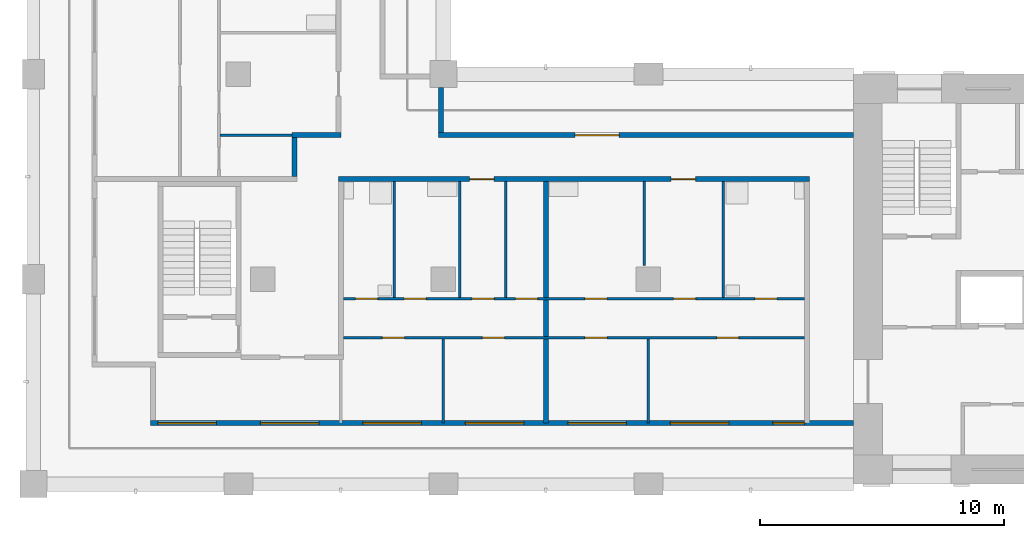
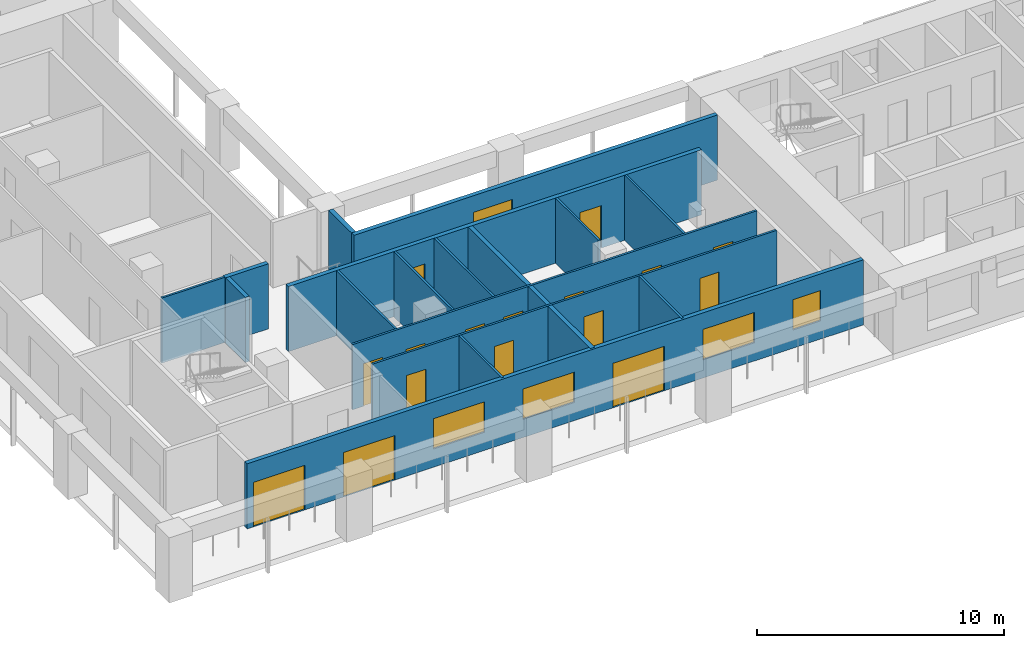
# One storey, part 2 of 11: 17 doors, 17 walls, 4 windows, 21 openings.
"""IFC4 building model written with IfcOpenShell, lengths in metres."""

from ifc_helpers import new_model, si_unit, direction, frame, frame_2d, origin, place, context, subcontext, project, spatial, rectangle, extrude, material, layer, layer_set, type_object, element, fill, save


model = new_model("IFC4")

# Units and contexts
model_context = context("Model", 3, precision=1e-05, world=origin(), true_north=direction((0.0, 1.0)))
body_context = subcontext(model_context, "Body", "Model", "MODEL_VIEW")
ifc_project = project(units=[si_unit("LENGTHUNIT", "METRE"), si_unit("AREAUNIT", "SQUARE_METRE"), si_unit("VOLUMEUNIT", "CUBIC_METRE"), si_unit("PLANEANGLEUNIT", "RADIAN"), si_unit("MASSUNIT", "GRAM", prefix="KILO")], contexts=[model_context])

# Site, building, storey
site_placement = place(None, origin())
site = spatial("IfcSite", under=ifc_project, at=site_placement, CompositionType="ELEMENT")
building_placement = place(site_placement, origin())
building = spatial("IfcBuilding", under=site, at=building_placement, Name="Vermilion Gate Residences", CompositionType="ELEMENT")
storey_placement = place(building_placement, frame((0.0, 0.0, 200.199951171875)))
storey = spatial("IfcBuildingStorey", under=building, at=storey_placement, Name="L52", CompositionType="ELEMENT", Elevation=200.199951171875)

# Wall, openings, doors, windows
ifc_material_1 = material(Name="Insulated steel stud wall with terracotta rainscreen", Category="masonry")
ifc_layer_1 = layer(ifc_material_1, 0.199951171875)
ifc_layer_set_1 = layer_set([ifc_layer_1], Name="EXTERNAL WALL 200 TERRACOTTA RAINSCREEN")
wall_type_1 = type_object("IfcWallType", Name="EXTERNAL WALL 200 TERRACOTTA RAINSCREEN", PredefinedType="SOLIDWALL", material=ifc_layer_set_1)
wall_1_placement = place(storey_placement, frame((13.199951171875, 10.89990234375, 0.0), z_axis=(0.0, 0.0, 1.0), x_axis=(1.0, 0.0, 0.0)))
wall_1 = element("IfcWall", 1, at=wall_1_placement, inside=storey, type_object=wall_type_1, Name="External wall", PredefinedType="SOLIDWALL", context=body_context, shape_type="SweptSolid", body=[
    extrude(rectangle(XDim=28.800048828125, YDim=0.199951171875, at=frame_2d((14.39990234375, 0.0))), origin(), (0.0, 0.0, 1.0), 3.219970703125),
])
opening_1_placement = place(wall_1_placement, frame((0.300048828125, 0.0, 0.0)))
opening_1 = element("IfcOpeningElement", 2, at=opening_1_placement, cuts=wall_1, Name="Opening DE52008", PredefinedType="OPENING", context=body_context, shape_type="SweptSolid", body=[
    extrude(rectangle(XDim=2.39990234375, YDim=2.199951171875, at=frame_2d((1.199951171875, 1.10009765625))), frame((0.0, 0.10986328125, 0.0), z_axis=(0.0, -1.0, 0.0), x_axis=(1.0, 0.0, 0.0)), (0.0, 0.0, 1.0), 0.219970703125),
])
opening_2_placement = place(wall_1_placement, frame((4.5, 0.0, 0.0)))
opening_2 = element("IfcOpeningElement", 3, at=opening_2_placement, cuts=wall_1, Name="Opening DE52009", PredefinedType="OPENING", context=body_context, shape_type="SweptSolid", body=[
    extrude(rectangle(XDim=2.39990234375, YDim=2.199951171875, at=frame_2d((1.199951171875, 1.10009765625))), frame((0.0, 0.10986328125, 0.0), z_axis=(0.0, -1.0, 0.0), x_axis=(1.0, 0.0, 0.0)), (0.0, 0.0, 1.0), 0.219970703125),
])
opening_3_placement = place(wall_1_placement, frame((8.699951171875, 0.0, 0.89990234375)))
opening_3 = element("IfcOpeningElement", 4, at=opening_3_placement, cuts=wall_1, Name="Opening WE52010", PredefinedType="OPENING", context=body_context, shape_type="SweptSolid", body=[
    extrude(rectangle(XDim=2.39990234375, YDim=1.5, at=frame_2d((1.199951171875, 0.75))), frame((0.0, 0.10986328125, 0.0), z_axis=(0.0, -1.0, 0.0), x_axis=(1.0, 0.0, 0.0)), (0.0, 0.0, 1.0), 0.219970703125),
])
opening_4_placement = place(wall_1_placement, frame((12.89990234375, 0.0, 0.89990234375)))
opening_4 = element("IfcOpeningElement", 5, at=opening_4_placement, cuts=wall_1, Name="Opening WE52011", PredefinedType="OPENING", context=body_context, shape_type="SweptSolid", body=[
    extrude(rectangle(XDim=2.39990234375, YDim=1.5, at=frame_2d((1.199951171875, 0.75))), frame((0.0, 0.10986328125, 0.0), z_axis=(0.0, -1.0, 0.0), x_axis=(1.0, 0.0, 0.0)), (0.0, 0.0, 1.0), 0.219970703125),
])
opening_5_placement = place(wall_1_placement, frame((17.10009765625, 0.0, 0.0)))
opening_5 = element("IfcOpeningElement", 6, at=opening_5_placement, cuts=wall_1, Name="Opening DE52012", PredefinedType="OPENING", context=body_context, shape_type="SweptSolid", body=[
    extrude(rectangle(XDim=2.39990234375, YDim=2.199951171875, at=frame_2d((1.199951171875, 1.10009765625))), frame((0.0, 0.10986328125, 0.0), z_axis=(0.0, -1.0, 0.0), x_axis=(1.0, 0.0, 0.0)), (0.0, 0.0, 1.0), 0.219970703125),
])
opening_6_placement = place(wall_1_placement, frame((21.300048828125, 0.0, 0.89990234375)))
opening_6 = element("IfcOpeningElement", 7, at=opening_6_placement, cuts=wall_1, Name="Opening WE52013", PredefinedType="OPENING", context=body_context, shape_type="SweptSolid", body=[
    extrude(rectangle(XDim=2.39990234375, YDim=1.5, at=frame_2d((1.199951171875, 0.75))), frame((0.0, 0.10986328125, 0.0), z_axis=(0.0, -1.0, 0.0), x_axis=(1.0, 0.0, 0.0)), (0.0, 0.0, 1.0), 0.219970703125),
])
opening_7_placement = place(wall_1_placement, frame((25.5, 0.0, 0.89990234375)))
opening_7 = element("IfcOpeningElement", 8, at=opening_7_placement, cuts=wall_1, Name="Opening WE52014", PredefinedType="OPENING", context=body_context, shape_type="SweptSolid", body=[
    extrude(rectangle(XDim=1.300048828125, YDim=1.5, at=frame_2d((0.64990234375, 0.75))), frame((0.0, 0.10986328125, 0.0), z_axis=(0.0, -1.0, 0.0), x_axis=(1.0, 0.0, 0.0)), (0.0, 0.0, 1.0), 0.219970703125),
])
ifc_material_2 = material(Name="Aluminium and clear glass", Category="aluminium")
door_type_1 = type_object("IfcDoorType", Name="SLIDING GLAZED DOOR 2400 X 2200", OperationType="DOUBLE_DOOR_SLIDING", PredefinedType="DOOR", material=ifc_material_2)
door_1_placement = place(opening_1_placement, origin())
door_1 = element("IfcDoor", 9, at=door_1_placement, inside=storey, type_object=door_type_1, Name="Loggia sliding door", OperationType="DOUBLE_DOOR_SLIDING", OverallHeight=2.199951171875, OverallWidth=2.39990234375, PredefinedType="DOOR", context=body_context, shape_type="SweptSolid", body=[
    extrude(rectangle(XDim=2.39990234375, YDim=2.199951171875, at=frame_2d((1.199951171875, 1.10009765625))), frame((0.0, 0.02490234375, 0.0), z_axis=(0.0, -1.0, 0.0), x_axis=(1.0, 0.0, 0.0)), (0.0, 0.0, 1.0), 0.050048828125),
])
fill(opening_1, door_1)
door_2_placement = place(opening_2_placement, origin())
door_2 = element("IfcDoor", 10, at=door_2_placement, inside=storey, type_object=door_type_1, Name="Loggia sliding door", OperationType="DOUBLE_DOOR_SLIDING", OverallHeight=2.199951171875, OverallWidth=2.39990234375, PredefinedType="DOOR", context=body_context, shape_type="SweptSolid", body=[
    extrude(rectangle(XDim=2.39990234375, YDim=2.199951171875, at=frame_2d((1.199951171875, 1.10009765625))), frame((0.0, 0.02490234375, 0.0), z_axis=(0.0, -1.0, 0.0), x_axis=(1.0, 0.0, 0.0)), (0.0, 0.0, 1.0), 0.050048828125),
])
fill(opening_2, door_2)
door_3_placement = place(opening_5_placement, origin())
door_3 = element("IfcDoor", 11, at=door_3_placement, inside=storey, type_object=door_type_1, Name="Loggia sliding door", OperationType="DOUBLE_DOOR_SLIDING", OverallHeight=2.199951171875, OverallWidth=2.39990234375, PredefinedType="DOOR", context=body_context, shape_type="SweptSolid", body=[
    extrude(rectangle(XDim=2.39990234375, YDim=2.199951171875, at=frame_2d((1.199951171875, 1.10009765625))), frame((0.0, 0.02490234375, 0.0), z_axis=(0.0, -1.0, 0.0), x_axis=(1.0, 0.0, 0.0)), (0.0, 0.0, 1.0), 0.050048828125),
])
fill(opening_5, door_3)
ifc_material_3 = material(Name="Aluminium and clear glass", Category="aluminium")
window_type_1 = type_object("IfcWindowType", Name="WINDOW 1300 X 1500", PartitioningType="SINGLE_PANEL", PredefinedType="WINDOW", material=ifc_material_3)
window_1_placement = place(opening_7_placement, origin())
window_1 = element("IfcWindow", 12, at=window_1_placement, inside=storey, type_object=window_type_1, Name="Window", OverallHeight=1.5, OverallWidth=1.300048828125, PartitioningType="SINGLE_PANEL", PredefinedType="WINDOW", context=body_context, shape_type="SweptSolid", body=[
    extrude(rectangle(XDim=1.300048828125, YDim=1.5, at=frame_2d((0.64990234375, 0.75))), frame((0.0, 0.030029296875, 0.0), z_axis=(0.0, -1.0, 0.0), x_axis=(1.0, 0.0, 0.0)), (0.0, 0.0, 1.0), 0.06005859375),
])
fill(opening_7, window_1)
ifc_material_4 = material(Name="Aluminium and clear glass", Category="aluminium")
window_type_2 = type_object("IfcWindowType", Name="WINDOW 2400 X 1500", PartitioningType="SINGLE_PANEL", PredefinedType="WINDOW", material=ifc_material_4)
window_2_placement = place(opening_3_placement, origin())
window_2 = element("IfcWindow", 13, at=window_2_placement, inside=storey, type_object=window_type_2, Name="Window", OverallHeight=1.5, OverallWidth=2.39990234375, PartitioningType="SINGLE_PANEL", PredefinedType="WINDOW", context=body_context, shape_type="SweptSolid", body=[
    extrude(rectangle(XDim=2.39990234375, YDim=1.5, at=frame_2d((1.199951171875, 0.75))), frame((0.0, 0.030029296875, 0.0), z_axis=(0.0, -1.0, 0.0), x_axis=(1.0, 0.0, 0.0)), (0.0, 0.0, 1.0), 0.06005859375),
])
fill(opening_3, window_2)
window_3_placement = place(opening_4_placement, origin())
window_3 = element("IfcWindow", 14, at=window_3_placement, inside=storey, type_object=window_type_2, Name="Window", OverallHeight=1.5, OverallWidth=2.39990234375, PartitioningType="SINGLE_PANEL", PredefinedType="WINDOW", context=body_context, shape_type="SweptSolid", body=[
    extrude(rectangle(XDim=2.39990234375, YDim=1.5, at=frame_2d((1.199951171875, 0.75))), frame((0.0, 0.030029296875, 0.0), z_axis=(0.0, -1.0, 0.0), x_axis=(1.0, 0.0, 0.0)), (0.0, 0.0, 1.0), 0.06005859375),
])
fill(opening_4, window_3)
window_4_placement = place(opening_6_placement, origin())
window_4 = element("IfcWindow", 15, at=window_4_placement, inside=storey, type_object=window_type_2, Name="Window", OverallHeight=1.5, OverallWidth=2.39990234375, PartitioningType="SINGLE_PANEL", PredefinedType="WINDOW", context=body_context, shape_type="SweptSolid", body=[
    extrude(rectangle(XDim=2.39990234375, YDim=1.5, at=frame_2d((1.199951171875, 0.75))), frame((0.0, 0.030029296875, 0.0), z_axis=(0.0, -1.0, 0.0), x_axis=(1.0, 0.0, 0.0)), (0.0, 0.0, 1.0), 0.06005859375),
])
fill(opening_6, window_4)

# Wall, opening, door
wall_2_placement = place(storey_placement, frame((42.0, 22.699951171875, 0.0), z_axis=(0.0, 0.0, 1.0), x_axis=(-1.0, 0.0, 0.0)))
wall_2 = element("IfcWall", 16, at=wall_2_placement, inside=storey, type_object=wall_type_1, Name="External wall", PredefinedType="SOLIDWALL", context=body_context, shape_type="SweptSolid", body=[
    extrude(rectangle(XDim=17.0, YDim=0.199951171875, at=frame_2d((8.5, 0.0))), origin(), (0.0, 0.0, 1.0), 3.219970703125),
])
opening_8_placement = place(wall_2_placement, frame((9.60009765625, 0.0, 0.0)))
opening_8 = element("IfcOpeningElement", 17, at=opening_8_placement, cuts=wall_2, Name="Opening DE52020", PredefinedType="OPENING", context=body_context, shape_type="SweptSolid", body=[
    extrude(rectangle(XDim=1.800048828125, YDim=2.39990234375, at=frame_2d((0.89990234375, 1.199951171875))), frame((0.0, 0.10986328125, 0.0), z_axis=(0.0, -1.0, 0.0), x_axis=(1.0, 0.0, 0.0)), (0.0, 0.0, 1.0), 0.219970703125),
])
ifc_material_5 = material(Name="Aluminium and clear glass", Category="aluminium")
door_type_2 = type_object("IfcDoorType", Name="GLAZED EXTERNAL DOOR 1800 X 2400", OperationType="DOUBLE_DOOR_SINGLE_SWING", PredefinedType="DOOR", material=ifc_material_5)
door_4_placement = place(opening_8_placement, frame((1.800048828125, 0.0, 0.0), z_axis=(0.0, 0.0, 1.0), x_axis=(-1.0, 0.0, 0.0)))
door_4 = element("IfcDoor", 18, at=door_4_placement, inside=storey, type_object=door_type_2, Name="Gallery door", OperationType="DOUBLE_DOOR_SINGLE_SWING", OverallHeight=2.39990234375, OverallWidth=1.800048828125, PredefinedType="DOOR", context=body_context, shape_type="SweptSolid", body=[
    extrude(rectangle(XDim=1.800048828125, YDim=2.39990234375, at=frame_2d((0.89990234375, 1.199951171875))), frame((0.0, 0.02490234375, 0.0), z_axis=(0.0, -1.0, 0.0), x_axis=(1.0, 0.0, 0.0)), (0.0, 0.0, 1.0), 0.050048828125),
])
fill(opening_8, door_4)

# Wall
wall_3_placement = place(storey_placement, frame((25.10009765625, 22.800048828125, 0.0), z_axis=(0.0, 0.0, 1.0), x_axis=(0.0, 1.0, 0.0)))
element("IfcWall", 19, at=wall_3_placement, inside=storey, type_object=wall_type_1, Name="External wall", PredefinedType="SOLIDWALL", context=body_context, shape_type="SweptSolid", body=[
    extrude(rectangle(XDim=1.849853515625, YDim=0.199951171875, at=frame_2d((0.9248046875, 0.0))), origin(), (0.0, 0.0, 1.0), 3.219970703125),
])

# Wall, openings, doors
ifc_material_6 = material(Name="Plasterboard on steel studs", Category="steel")
ifc_layer_2 = layer(ifc_material_6, 0.10009765625)
ifc_layer_set_2 = layer_set([ifc_layer_2], Name="PARTITION 100")
wall_type_2 = type_object("IfcWallType", Name="PARTITION 100", PredefinedType="PARTITIONING", material=ifc_layer_set_2)
wall_4_placement = place(storey_placement, frame((21.10009765625, 14.39990234375, 0.0), z_axis=(0.0, 0.0, 1.0), x_axis=(1.0, 0.0, 0.0)))
wall_4 = element("IfcWall", 20, at=wall_4_placement, inside=storey, type_object=wall_type_2, Name="Partition", PredefinedType="PARTITIONING", context=body_context, shape_type="SweptSolid", body=[
    extrude(rectangle(XDim=18.89990234375, YDim=0.10009765625, at=frame_2d((9.449951171875, 0.0))), origin(), (0.0, 0.0, 1.0), 3.219970703125),
])
opening_9_placement = place(wall_4_placement, frame((1.60009765625, 0.0, 0.0)))
opening_9 = element("IfcOpeningElement", 21, at=opening_9_placement, cuts=wall_4, Name="Opening DA52002", PredefinedType="OPENING", context=body_context, shape_type="SweptSolid", body=[
    extrude(rectangle(XDim=0.89990234375, YDim=2.10009765625, at=frame_2d((0.449951171875, 1.050048828125))), frame((0.0, 0.06005859375, 0.0), z_axis=(0.0, -1.0, 0.0), x_axis=(1.0, 0.0, 0.0)), (0.0, 0.0, 1.0), 0.1201171875),
])
opening_10_placement = place(wall_4_placement, frame((5.699951171875, 0.0, 0.0)))
opening_10 = element("IfcOpeningElement", 22, at=opening_10_placement, cuts=wall_4, Name="Opening DA52003", PredefinedType="OPENING", context=body_context, shape_type="SweptSolid", body=[
    extrude(rectangle(XDim=0.89990234375, YDim=2.10009765625, at=frame_2d((0.449951171875, 1.050048828125))), frame((0.0, 0.06005859375, 0.0), z_axis=(0.0, -1.0, 0.0), x_axis=(1.0, 0.0, 0.0)), (0.0, 0.0, 1.0), 0.1201171875),
])
opening_11_placement = place(wall_4_placement, frame((9.89990234375, 0.0, 0.0)))
opening_11 = element("IfcOpeningElement", 23, at=opening_11_placement, cuts=wall_4, Name="Opening DA52004", PredefinedType="OPENING", context=body_context, shape_type="SweptSolid", body=[
    extrude(rectangle(XDim=0.89990234375, YDim=2.10009765625, at=frame_2d((0.449951171875, 1.050048828125))), frame((0.0, 0.06005859375, 0.0), z_axis=(0.0, -1.0, 0.0), x_axis=(1.0, 0.0, 0.0)), (0.0, 0.0, 1.0), 0.1201171875),
])
opening_12_placement = place(wall_4_placement, frame((15.300048828125, 0.0, 0.0)))
opening_12 = element("IfcOpeningElement", 24, at=opening_12_placement, cuts=wall_4, Name="Opening DA52005", PredefinedType="OPENING", context=body_context, shape_type="SweptSolid", body=[
    extrude(rectangle(XDim=0.89990234375, YDim=2.10009765625, at=frame_2d((0.449951171875, 1.050048828125))), frame((0.0, 0.06005859375, 0.0), z_axis=(0.0, -1.0, 0.0), x_axis=(1.0, 0.0, 0.0)), (0.0, 0.0, 1.0), 0.1201171875),
])
ifc_material_7 = material(Name="Timber", Category="wood")
door_type_3 = type_object("IfcDoorType", Name="INTERIOR DOOR 900 X 2100", OperationType="SINGLE_SWING_LEFT", PredefinedType="DOOR", material=ifc_material_7)
door_5_placement = place(opening_9_placement, frame((0.89990234375, 0.0, 0.0), z_axis=(0.0, 0.0, 1.0), x_axis=(-1.0, 0.0, 0.0)))
door_5 = element("IfcDoor", 25, at=door_5_placement, inside=storey, type_object=door_type_3, Name="Interior door", OperationType="SINGLE_SWING_LEFT", OverallHeight=2.10009765625, OverallWidth=0.89990234375, PredefinedType="DOOR", context=body_context, shape_type="SweptSolid", body=[
    extrude(rectangle(XDim=0.89990234375, YDim=2.10009765625, at=frame_2d((0.449951171875, 1.050048828125))), frame((0.0, 0.02490234375, 0.0), z_axis=(0.0, -1.0, 0.0), x_axis=(1.0, 0.0, 0.0)), (0.0, 0.0, 1.0), 0.050048828125),
])
fill(opening_9, door_5)
door_6_placement = place(opening_10_placement, frame((0.89990234375, 0.0, 0.0), z_axis=(0.0, 0.0, 1.0), x_axis=(-1.0, 0.0, 0.0)))
door_6 = element("IfcDoor", 26, at=door_6_placement, inside=storey, type_object=door_type_3, Name="Interior door", OperationType="SINGLE_SWING_RIGHT", OverallHeight=2.10009765625, OverallWidth=0.89990234375, PredefinedType="DOOR", context=body_context, shape_type="SweptSolid", body=[
    extrude(rectangle(XDim=0.89990234375, YDim=2.10009765625, at=frame_2d((0.449951171875, 1.050048828125))), frame((0.0, 0.02490234375, 0.0), z_axis=(0.0, -1.0, 0.0), x_axis=(1.0, 0.0, 0.0)), (0.0, 0.0, 1.0), 0.050048828125),
])
fill(opening_10, door_6)
door_7_placement = place(opening_11_placement, frame((0.89990234375, 0.0, 0.0), z_axis=(0.0, 0.0, 1.0), x_axis=(-1.0, 0.0, 0.0)))
door_7 = element("IfcDoor", 27, at=door_7_placement, inside=storey, type_object=door_type_3, Name="Interior door", OperationType="SINGLE_SWING_RIGHT", OverallHeight=2.10009765625, OverallWidth=0.89990234375, PredefinedType="DOOR", context=body_context, shape_type="SweptSolid", body=[
    extrude(rectangle(XDim=0.89990234375, YDim=2.10009765625, at=frame_2d((0.449951171875, 1.050048828125))), frame((0.0, 0.02490234375, 0.0), z_axis=(0.0, -1.0, 0.0), x_axis=(1.0, 0.0, 0.0)), (0.0, 0.0, 1.0), 0.050048828125),
])
fill(opening_11, door_7)
door_8_placement = place(opening_12_placement, frame((0.89990234375, 0.0, 0.0), z_axis=(0.0, 0.0, 1.0), x_axis=(-1.0, 0.0, 0.0)))
door_8 = element("IfcDoor", 28, at=door_8_placement, inside=storey, type_object=door_type_3, Name="Interior door", OperationType="SINGLE_SWING_LEFT", OverallHeight=2.10009765625, OverallWidth=0.89990234375, PredefinedType="DOOR", context=body_context, shape_type="SweptSolid", body=[
    extrude(rectangle(XDim=0.89990234375, YDim=2.10009765625, at=frame_2d((0.449951171875, 1.050048828125))), frame((0.0, 0.02490234375, 0.0), z_axis=(0.0, -1.0, 0.0), x_axis=(1.0, 0.0, 0.0)), (0.0, 0.0, 1.0), 0.050048828125),
])
fill(opening_12, door_8)

wall_5_placement = place(storey_placement, frame((21.10009765625, 16.0, 0.0), z_axis=(0.0, 0.0, 1.0), x_axis=(1.0, 0.0, 0.0)))
wall_5 = element("IfcWall", 29, at=wall_5_placement, inside=storey, type_object=wall_type_2, Name="Partition", PredefinedType="PARTITIONING", context=body_context, shape_type="SweptSolid", body=[
    extrude(rectangle(XDim=18.89990234375, YDim=0.10009765625, at=frame_2d((9.449951171875, 0.0))), origin(), (0.0, 0.0, 1.0), 3.219970703125),
])
opening_13_placement = place(wall_5_placement, frame((5.27392578125, 0.0, 0.0)))
opening_13 = element("IfcOpeningElement", 30, at=opening_13_placement, cuts=wall_5, Name="Opening DA52006", PredefinedType="OPENING", context=body_context, shape_type="SweptSolid", body=[
    extrude(rectangle(XDim=0.89990234375, YDim=2.10009765625, at=frame_2d((0.449951171875, 1.050048828125))), frame((0.0, 0.06005859375, 0.0), z_axis=(0.0, -1.0, 0.0), x_axis=(1.0, 0.0, 0.0)), (0.0, 0.0, 1.0), 0.1201171875),
])
opening_14_placement = place(wall_5_placement, frame((0.5, 0.0, 0.0)))
opening_14 = element("IfcOpeningElement", 31, at=opening_14_placement, cuts=wall_5, Name="Opening DA52007", PredefinedType="OPENING", context=body_context, shape_type="SweptSolid", body=[
    extrude(rectangle(XDim=0.89990234375, YDim=2.10009765625, at=frame_2d((0.449951171875, 1.050048828125))), frame((0.0, 0.06005859375, 0.0), z_axis=(0.0, -1.0, 0.0), x_axis=(1.0, 0.0, 0.0)), (0.0, 0.0, 1.0), 0.1201171875),
])
opening_15_placement = place(wall_5_placement, frame((2.489990234375, 0.0, 0.0)))
opening_15 = element("IfcOpeningElement", 32, at=opening_15_placement, cuts=wall_5, Name="Opening DA52008", PredefinedType="OPENING", context=body_context, shape_type="SweptSolid", body=[
    extrude(rectangle(XDim=0.89990234375, YDim=2.10009765625, at=frame_2d((0.449951171875, 1.050048828125))), frame((0.0, 0.06005859375, 0.0), z_axis=(0.0, -1.0, 0.0), x_axis=(1.0, 0.0, 0.0)), (0.0, 0.0, 1.0), 0.1201171875),
])
opening_16_placement = place(wall_5_placement, frame((7.05810546875, 0.0, 0.0)))
opening_16 = element("IfcOpeningElement", 33, at=opening_16_placement, cuts=wall_5, Name="Opening DA52009", PredefinedType="OPENING", context=body_context, shape_type="SweptSolid", body=[
    extrude(rectangle(XDim=0.89990234375, YDim=2.10009765625, at=frame_2d((0.449951171875, 1.050048828125))), frame((0.0, 0.06005859375, 0.0), z_axis=(0.0, -1.0, 0.0), x_axis=(1.0, 0.0, 0.0)), (0.0, 0.0, 1.0), 0.1201171875),
])
opening_17_placement = place(wall_5_placement, frame((13.532958984375, 0.0, 0.0)))
opening_17 = element("IfcOpeningElement", 34, at=opening_17_placement, cuts=wall_5, Name="Opening DA52010", PredefinedType="OPENING", context=body_context, shape_type="SweptSolid", body=[
    extrude(rectangle(XDim=0.89990234375, YDim=2.10009765625, at=frame_2d((0.449951171875, 1.050048828125))), frame((0.0, 0.06005859375, 0.0), z_axis=(0.0, -1.0, 0.0), x_axis=(1.0, 0.0, 0.0)), (0.0, 0.0, 1.0), 0.1201171875),
])
opening_18_placement = place(wall_5_placement, frame((9.89990234375, 0.0, 0.0)))
opening_18 = element("IfcOpeningElement", 35, at=opening_18_placement, cuts=wall_5, Name="Opening DA52011", PredefinedType="OPENING", context=body_context, shape_type="SweptSolid", body=[
    extrude(rectangle(XDim=0.89990234375, YDim=2.10009765625, at=frame_2d((0.449951171875, 1.050048828125))), frame((0.0, 0.06005859375, 0.0), z_axis=(0.0, -1.0, 0.0), x_axis=(1.0, 0.0, 0.0)), (0.0, 0.0, 1.0), 0.1201171875),
])
opening_19_placement = place(wall_5_placement, frame((16.866943359375, 0.0, 0.0)))
opening_19 = element("IfcOpeningElement", 36, at=opening_19_placement, cuts=wall_5, Name="Opening DA52012", PredefinedType="OPENING", context=body_context, shape_type="SweptSolid", body=[
    extrude(rectangle(XDim=0.89990234375, YDim=2.10009765625, at=frame_2d((0.449951171875, 1.050048828125))), frame((0.0, 0.06005859375, 0.0), z_axis=(0.0, -1.0, 0.0), x_axis=(1.0, 0.0, 0.0)), (0.0, 0.0, 1.0), 0.1201171875),
])
door_9_placement = place(opening_13_placement, origin())
door_9 = element("IfcDoor", 37, at=door_9_placement, inside=storey, type_object=door_type_3, Name="Interior door", OperationType="SINGLE_SWING_RIGHT", OverallHeight=2.10009765625, OverallWidth=0.89990234375, PredefinedType="DOOR", context=body_context, shape_type="SweptSolid", body=[
    extrude(rectangle(XDim=0.89990234375, YDim=2.10009765625, at=frame_2d((0.449951171875, 1.050048828125))), frame((0.0, 0.02490234375, 0.0), z_axis=(0.0, -1.0, 0.0), x_axis=(1.0, 0.0, 0.0)), (0.0, 0.0, 1.0), 0.050048828125),
])
fill(opening_13, door_9)
door_10_placement = place(opening_14_placement, origin())
door_10 = element("IfcDoor", 38, at=door_10_placement, inside=storey, type_object=door_type_3, Name="Interior door", OperationType="SINGLE_SWING_RIGHT", OverallHeight=2.10009765625, OverallWidth=0.89990234375, PredefinedType="DOOR", context=body_context, shape_type="SweptSolid", body=[
    extrude(rectangle(XDim=0.89990234375, YDim=2.10009765625, at=frame_2d((0.449951171875, 1.050048828125))), frame((0.0, 0.02490234375, 0.0), z_axis=(0.0, -1.0, 0.0), x_axis=(1.0, 0.0, 0.0)), (0.0, 0.0, 1.0), 0.050048828125),
])
fill(opening_14, door_10)
door_11_placement = place(opening_15_placement, origin())
door_11 = element("IfcDoor", 39, at=door_11_placement, inside=storey, type_object=door_type_3, Name="Interior door", OperationType="SINGLE_SWING_LEFT", OverallHeight=2.10009765625, OverallWidth=0.89990234375, PredefinedType="DOOR", context=body_context, shape_type="SweptSolid", body=[
    extrude(rectangle(XDim=0.89990234375, YDim=2.10009765625, at=frame_2d((0.449951171875, 1.050048828125))), frame((0.0, 0.02490234375, 0.0), z_axis=(0.0, -1.0, 0.0), x_axis=(1.0, 0.0, 0.0)), (0.0, 0.0, 1.0), 0.050048828125),
])
fill(opening_15, door_11)
door_12_placement = place(opening_16_placement, origin())
door_12 = element("IfcDoor", 40, at=door_12_placement, inside=storey, type_object=door_type_3, Name="Interior door", OperationType="SINGLE_SWING_RIGHT", OverallHeight=2.10009765625, OverallWidth=0.89990234375, PredefinedType="DOOR", context=body_context, shape_type="SweptSolid", body=[
    extrude(rectangle(XDim=0.89990234375, YDim=2.10009765625, at=frame_2d((0.449951171875, 1.050048828125))), frame((0.0, 0.02490234375, 0.0), z_axis=(0.0, -1.0, 0.0), x_axis=(1.0, 0.0, 0.0)), (0.0, 0.0, 1.0), 0.050048828125),
])
fill(opening_16, door_12)
door_13_placement = place(opening_17_placement, origin())
door_13 = element("IfcDoor", 41, at=door_13_placement, inside=storey, type_object=door_type_3, Name="Interior door", OperationType="SINGLE_SWING_RIGHT", OverallHeight=2.10009765625, OverallWidth=0.89990234375, PredefinedType="DOOR", context=body_context, shape_type="SweptSolid", body=[
    extrude(rectangle(XDim=0.89990234375, YDim=2.10009765625, at=frame_2d((0.449951171875, 1.050048828125))), frame((0.0, 0.02490234375, 0.0), z_axis=(0.0, -1.0, 0.0), x_axis=(1.0, 0.0, 0.0)), (0.0, 0.0, 1.0), 0.050048828125),
])
fill(opening_17, door_13)
door_14_placement = place(opening_18_placement, origin())
door_14 = element("IfcDoor", 42, at=door_14_placement, inside=storey, type_object=door_type_3, Name="Interior door", OperationType="SINGLE_SWING_LEFT", OverallHeight=2.10009765625, OverallWidth=0.89990234375, PredefinedType="DOOR", context=body_context, shape_type="SweptSolid", body=[
    extrude(rectangle(XDim=0.89990234375, YDim=2.10009765625, at=frame_2d((0.449951171875, 1.050048828125))), frame((0.0, 0.02490234375, 0.0), z_axis=(0.0, -1.0, 0.0), x_axis=(1.0, 0.0, 0.0)), (0.0, 0.0, 1.0), 0.050048828125),
])
fill(opening_18, door_14)
door_15_placement = place(opening_19_placement, origin())
door_15 = element("IfcDoor", 43, at=door_15_placement, inside=storey, type_object=door_type_3, Name="Interior door", OperationType="SINGLE_SWING_LEFT", OverallHeight=2.10009765625, OverallWidth=0.89990234375, PredefinedType="DOOR", context=body_context, shape_type="SweptSolid", body=[
    extrude(rectangle(XDim=0.89990234375, YDim=2.10009765625, at=frame_2d((0.449951171875, 1.050048828125))), frame((0.0, 0.02490234375, 0.0), z_axis=(0.0, -1.0, 0.0), x_axis=(1.0, 0.0, 0.0)), (0.0, 0.0, 1.0), 0.050048828125),
])
fill(opening_19, door_15)

# Walls
wall_6_placement = place(storey_placement, frame((16.050048828125, 22.699951171875, 0.0), z_axis=(0.0, 0.0, 1.0), x_axis=(1.0, 0.0, 0.0)))
element("IfcWall", 44, at=wall_6_placement, inside=storey, type_object=wall_type_2, Name="Partition", PredefinedType="PARTITIONING", context=body_context, shape_type="SweptSolid", body=[
    extrude(rectangle(XDim=2.949951171875, YDim=0.10009765625, at=frame_2d((1.47509765625, 0.0))), origin(), (0.0, 0.0, 1.0), 3.219970703125),
])
wall_7_placement = place(storey_placement, frame((23.18994140625, 16.050048828125, 0.0), z_axis=(0.0, 0.0, 1.0), x_axis=(0.0, 1.0, 0.0)))
element("IfcWall", 45, at=wall_7_placement, inside=storey, type_object=wall_type_2, Name="Partition", PredefinedType="PARTITIONING", context=body_context, shape_type="SweptSolid", body=[
    extrude(rectangle(XDim=4.75, YDim=0.10009765625, at=frame_2d((2.375, 0.0))), origin(), (0.0, 0.0, 1.0), 3.219970703125),
])
wall_8_placement = place(storey_placement, frame((25.199951171875, 10.89990234375, 0.0), z_axis=(0.0, 0.0, 1.0), x_axis=(0.0, 1.0, 0.0)))
element("IfcWall", 46, at=wall_8_placement, inside=storey, type_object=wall_type_2, Name="Partition", PredefinedType="PARTITIONING", context=body_context, shape_type="SweptSolid", body=[
    extrude(rectangle(XDim=3.4501953125, YDim=0.10009765625, at=frame_2d((1.72509765625, 0.0))), origin(), (0.0, 0.0, 1.0), 3.219970703125),
])
for number, where, z_axis, x_axis, name in (
    (47, (25.8740234375, 16.050048828125, 0.0), (0.0, 0.0, 1.0), (0.0, 1.0, 0.0), "Partition"),
    (48, (27.758056640625, 16.050048828125, 0.0), (0.0, 0.0, 1.0), (0.0, 1.0, 0.0), "Partition"),
):
    element("IfcWall", number, at=place(storey_placement, frame(where, z_axis=z_axis, x_axis=x_axis)), inside=storey, type_object=wall_type_2, Name=name, PredefinedType="PARTITIONING", context=body_context, shape_type="SweptSolid", body=[
        extrude(rectangle(XDim=4.75, YDim=0.10009765625, at=frame_2d((2.375, 0.0))), origin(), (0.0, 0.0, 1.0), 3.219970703125),
    ])
wall_9_placement = place(storey_placement, frame((33.43310546875, 17.35009765625, 0.0), z_axis=(0.0, 0.0, 1.0), x_axis=(0.0, 1.0, 0.0)))
element("IfcWall", 49, at=wall_9_placement, inside=storey, type_object=wall_type_2, Name="Partition", PredefinedType="PARTITIONING", context=body_context, shape_type="SweptSolid", body=[
    extrude(rectangle(XDim=3.449951171875, YDim=0.10009765625, at=frame_2d((1.72509765625, 0.0))), origin(), (0.0, 0.0, 1.0), 3.219970703125),
])
wall_10_placement = place(storey_placement, frame((33.60009765625, 10.89990234375, 0.0), z_axis=(0.0, 0.0, 1.0), x_axis=(0.0, 1.0, 0.0)))
element("IfcWall", 50, at=wall_10_placement, inside=storey, type_object=wall_type_2, Name="Partition", PredefinedType="PARTITIONING", context=body_context, shape_type="SweptSolid", body=[
    extrude(rectangle(XDim=3.4501953125, YDim=0.10009765625, at=frame_2d((1.72509765625, 0.0))), origin(), (0.0, 0.0, 1.0), 3.219970703125),
])
wall_11_placement = place(storey_placement, frame((36.6669921875, 16.050048828125, 0.0), z_axis=(0.0, 0.0, 1.0), x_axis=(0.0, 1.0, 0.0)))
element("IfcWall", 51, at=wall_11_placement, inside=storey, type_object=wall_type_2, Name="Partition", PredefinedType="PARTITIONING", context=body_context, shape_type="SweptSolid", body=[
    extrude(rectangle(XDim=4.75, YDim=0.10009765625, at=frame_2d((2.375, 0.0))), origin(), (0.0, 0.0, 1.0), 3.219970703125),
])

# Wall, openings, doors
ifc_material_8 = material(Name="Fire-rated plasterboard on steel studs", Category="steel")
ifc_layer_3 = layer(ifc_material_8, 0.199951171875)
ifc_layer_set_3 = layer_set([ifc_layer_3], Name="PARTY WALL 200 EI 120")
wall_type_3 = type_object("IfcWallType", Name="PARTY WALL 200 EI 120", PredefinedType="PARTITIONING", material=ifc_layer_set_3)
wall_12_placement = place(storey_placement, frame((20.89990234375, 20.89990234375, 0.0), z_axis=(0.0, 0.0, 1.0), x_axis=(1.0, 0.0, 0.0)))
wall_12 = element("IfcWall", 52, at=wall_12_placement, inside=storey, type_object=wall_type_3, Name="Party and corridor wall", PredefinedType="PARTITIONING", context=body_context, shape_type="SweptSolid", body=[
    extrude(rectangle(XDim=19.300048828125, YDim=0.199951171875, at=frame_2d((9.64990234375, 0.0))), origin(), (0.0, 0.0, 1.0), 3.219970703125),
])
opening_20_placement = place(wall_12_placement, frame((5.3740234375, 0.0, 0.0)))
opening_20 = element("IfcOpeningElement", 53, at=opening_20_placement, cuts=wall_12, Name="Opening DA52013", PredefinedType="OPENING", context=body_context, shape_type="SweptSolid", body=[
    extrude(rectangle(XDim=1.0, YDim=2.10009765625, at=frame_2d((0.5, 1.050048828125))), frame((0.0, 0.10986328125, 0.0), z_axis=(0.0, -1.0, 0.0), x_axis=(1.0, 0.0, 0.0)), (0.0, 0.0, 1.0), 0.219970703125),
])
opening_21_placement = place(wall_12_placement, frame((13.633056640625, 0.0, 0.0)))
opening_21 = element("IfcOpeningElement", 54, at=opening_21_placement, cuts=wall_12, Name="Opening DA52014", PredefinedType="OPENING", context=body_context, shape_type="SweptSolid", body=[
    extrude(rectangle(XDim=1.0, YDim=2.10009765625, at=frame_2d((0.5, 1.050048828125))), frame((0.0, 0.10986328125, 0.0), z_axis=(0.0, -1.0, 0.0), x_axis=(1.0, 0.0, 0.0)), (0.0, 0.0, 1.0), 0.219970703125),
])
ifc_material_9 = material(Name="Steel", Category="steel")
door_type_4 = type_object("IfcDoorType", Name="ENTRANCE DOOR 1000 X 2100 FD30", OperationType="SINGLE_SWING_LEFT", PredefinedType="DOOR", material=ifc_material_9)
door_16_placement = place(opening_20_placement, frame((1.0, 0.0, 0.0), z_axis=(0.0, 0.0, 1.0), x_axis=(-1.0, 0.0, 0.0)))
door_16 = element("IfcDoor", 55, at=door_16_placement, inside=storey, type_object=door_type_4, Name="Entrance door", OperationType="SINGLE_SWING_RIGHT", OverallHeight=2.10009765625, OverallWidth=1.0, PredefinedType="DOOR", context=body_context, shape_type="SweptSolid", body=[
    extrude(rectangle(XDim=1.0, YDim=2.10009765625, at=frame_2d((0.5, 1.050048828125))), frame((0.0, 0.02490234375, 0.0), z_axis=(0.0, -1.0, 0.0), x_axis=(1.0, 0.0, 0.0)), (0.0, 0.0, 1.0), 0.050048828125),
])
fill(opening_20, door_16)
door_17_placement = place(opening_21_placement, frame((1.0, 0.0, 0.0), z_axis=(0.0, 0.0, 1.0), x_axis=(-1.0, 0.0, 0.0)))
door_17 = element("IfcDoor", 56, at=door_17_placement, inside=storey, type_object=door_type_4, Name="Entrance door", OperationType="SINGLE_SWING_RIGHT", OverallHeight=2.10009765625, OverallWidth=1.0, PredefinedType="DOOR", context=body_context, shape_type="SweptSolid", body=[
    extrude(rectangle(XDim=1.0, YDim=2.10009765625, at=frame_2d((0.5, 1.050048828125))), frame((0.0, 0.02490234375, 0.0), z_axis=(0.0, -1.0, 0.0), x_axis=(1.0, 0.0, 0.0)), (0.0, 0.0, 1.0), 0.050048828125),
])
fill(opening_21, door_17)

# Walls
wall_13_placement = place(storey_placement, frame((19.0, 22.699951171875, 0.0), z_axis=(0.0, 0.0, 1.0), x_axis=(1.0, 0.0, 0.0)))
element("IfcWall", 57, at=wall_13_placement, inside=storey, type_object=wall_type_3, Name="Party and corridor wall", PredefinedType="PARTITIONING", context=body_context, shape_type="SweptSolid", body=[
    extrude(rectangle(XDim=2.0, YDim=0.199951171875, at=frame_2d((1.0, 0.0))), origin(), (0.0, 0.0, 1.0), 3.219970703125),
])
wall_14_placement = place(storey_placement, frame((19.10009765625, 21.0, 0.0), z_axis=(0.0, 0.0, 1.0), x_axis=(0.0, 1.0, 0.0)))
element("IfcWall", 58, at=wall_14_placement, inside=storey, type_object=wall_type_3, Name="Party and corridor wall", PredefinedType="PARTITIONING", context=body_context, shape_type="SweptSolid", body=[
    extrude(rectangle(XDim=1.60009765625, YDim=0.199951171875, at=frame_2d((0.800048828125, 0.0))), origin(), (0.0, 0.0, 1.0), 3.219970703125),
])
wall_15_placement = place(storey_placement, frame((29.39990234375, 10.89990234375, 0.0), z_axis=(0.0, 0.0, 1.0), x_axis=(0.0, 1.0, 0.0)))
element("IfcWall", 59, at=wall_15_placement, inside=storey, type_object=wall_type_3, Name="Party and corridor wall", PredefinedType="PARTITIONING", context=body_context, shape_type="SweptSolid", body=[
    extrude(rectangle(XDim=9.900146484375, YDim=0.199951171875, at=frame_2d((4.9501953125, 0.0))), origin(), (0.0, 0.0, 1.0), 3.219970703125),
])

save(model, "model.ifc")
